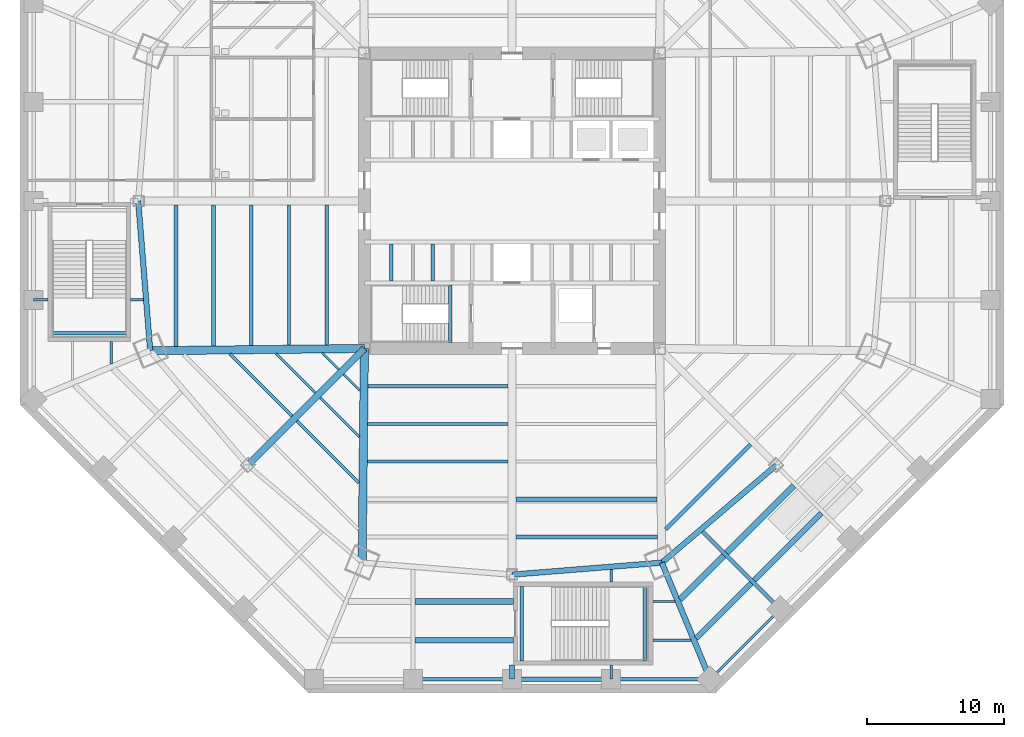
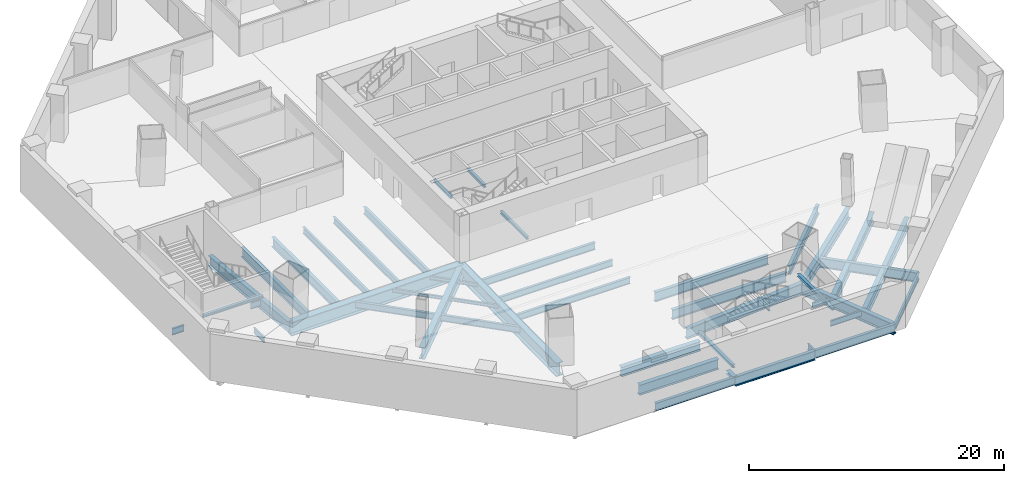
# One storey, part 2 of 15: 46 beams, 3 members.
"""IFC4 building model written with IfcOpenShell, lengths in metres."""

from ifc_helpers import new_model, si_unit, direction, frame, origin, origin_2d, place, context, subcontext, project, spatial, i_section, extrude, source, transform, mapped, material, material_profile, profile_set, type_object, type_shapes, element, save


model = new_model("IFC4")

# Units and contexts
model_context = context("Model", 3, precision=1e-05, world=origin(), true_north=direction((0.0, 1.0)))
body_context = subcontext(model_context, "Body", "Model", "MODEL_VIEW")
ifc_project = project(units=[si_unit("LENGTHUNIT", "METRE"), si_unit("AREAUNIT", "SQUARE_METRE"), si_unit("VOLUMEUNIT", "CUBIC_METRE"), si_unit("PLANEANGLEUNIT", "RADIAN"), si_unit("MASSUNIT", "GRAM", prefix="KILO")], contexts=[model_context])

# Site, building, storey
site_placement = place(None, origin())
site = spatial("IfcSite", under=ifc_project, at=site_placement, CompositionType="ELEMENT")
building_placement = place(site_placement, origin())
building = spatial("IfcBuilding", under=site, at=building_placement, Name="Mashrafa Tower", CompositionType="ELEMENT")
storey_placement = place(building_placement, frame((0.0, 0.0, -4.5)))
storey = spatial("IfcBuildingStorey", under=building, at=storey_placement, Name="B1", CompositionType="ELEMENT", Elevation=-4.5)

# Beams
ifc_material_1 = material(Name="Steel ASTM A572 Gr 50", Category="steel")
ifc_material_profile_1 = material_profile(ifc_material_1, i_section(OverallWidth=0.5, OverallDepth=1.10009765625, WebThickness=0.02490234375, FlangeThickness=0.050048828125, at=origin_2d()), Name="H1100X500X25X50")
ifc_profile_set_1 = profile_set([ifc_material_profile_1], Name="Steel ASTM A572 Gr 50")
beam_type_1 = type_object("IfcBeamType", Name="Beam H1100X500X25X50", PredefinedType="BEAM", material=ifc_profile_set_1)
beam_1_placement = place(storey_placement, frame((-10.800048828125, -10.800048828125, -0.85009765625), z_axis=(-0.707106781187, -0.707106781187, 0.0), x_axis=(0.707106781187, -0.707106781187, 0.0)))
element("IfcBeam", 1, at=beam_1_placement, inside=storey, type_object=beam_type_1, Name="Radial girder B1 194", PredefinedType="BEAM", context=body_context, shape_type="SweptSolid", body=[
    extrude(i_section(OverallWidth=0.5, OverallDepth=1.10009765625, WebThickness=0.02490234375, FlangeThickness=0.050048828125, at=origin_2d()), origin(), (0.0, 0.0, 1.0), 12.07666015625),
])
ifc_material_2 = material(Name="Steel ASTM A572 Gr 50", Category="steel")
ifc_material_profile_2 = material_profile(ifc_material_2, i_section(OverallWidth=0.60009765625, OverallDepth=1.300048828125, WebThickness=0.028076171875, FlangeThickness=0.06494140625, at=origin_2d()), Name="H1300X600X28X65")
ifc_profile_set_2 = profile_set([ifc_material_profile_2], Name="Steel ASTM A572 Gr 50")
beam_type_2 = type_object("IfcBeamType", Name="Beam H1300X600X28X65", PredefinedType="BEAM", material=ifc_profile_set_2)
for number, where, z_axis, x_axis, name in (
    (2, (-10.800048828125, -10.800048828125, -0.949951171875), (-0.999944558062, -0.010529995346, 0.0), (0.010529995346, -0.999944558062, 0.0), "Radial girder B1 193"),
    (3, (-10.800048828125, -10.800048828125, -0.949951171875), (-0.010529995346, -0.999944558062, 0.0), (0.999944558062, -0.010529995346, 0.0), "Radial girder B1 195"),
):
    element("IfcBeam", number, at=place(storey_placement, frame(where, z_axis=z_axis, x_axis=x_axis)), inside=storey, type_object=beam_type_2, Name=name, PredefinedType="BEAM", context=body_context, shape_type="SweptSolid", body=[
        extrude(i_section(OverallWidth=0.60009765625, OverallDepth=1.300048828125, WebThickness=0.028076171875, FlangeThickness=0.06494140625, at=origin_2d()), origin(), (0.0, 0.0, 1.0), 15.67333984375),
    ])
ifc_material_3 = material(Name="Steel ASTM A992", Category="steel")
ifc_material_profile_3 = material_profile(ifc_material_3, i_section(OverallWidth=0.164794921875, OverallDepth=0.309814453125, WebThickness=0.005859375, FlangeThickness=0.009765625, FilletRadius=0.007568359375, at=origin_2d()), Name="W12X26")
ifc_profile_set_3 = profile_set([ifc_material_profile_3], Name="Steel ASTM A992")
beam_type_3 = type_object("IfcBeamType", Name="Beam W12X26", PredefinedType="BEAM", material=ifc_profile_set_3)
beam_2_placement = place(storey_placement, frame((-14.392578125, -14.0390625, -0.454833984375), z_axis=(-0.707136845889, 0.707076715205, 0.0), x_axis=(-0.707076715205, -0.707136845889, 0.0)))
element("IfcBeam", 4, at=beam_2_placement, inside=storey, type_object=beam_type_3, Name="Floor beam B1 026", PredefinedType="BEAM", context=body_context, shape_type="SweptSolid", body=[
    extrude(i_section(OverallWidth=0.164794921875, OverallDepth=0.309814453125, WebThickness=0.005859375, FlangeThickness=0.009765625, FilletRadius=0.007568359375, at=origin_2d()), origin(), (0.0, 0.0, 1.0), 4.06005859375),
])
beam_3_placement = place(storey_placement, frame((-12.684814453125, -12.3310546875, -0.454833984375), z_axis=(-0.707106781187, 0.707106781187, 0.0), x_axis=(-0.707106781187, -0.707106781187, 0.0)))
element("IfcBeam", 5, at=beam_3_placement, inside=storey, type_object=beam_type_3, Name="Floor beam B1 033", PredefinedType="BEAM", context=body_context, shape_type="SweptSolid", body=[
    extrude(i_section(OverallWidth=0.164794921875, OverallDepth=0.309814453125, WebThickness=0.005859375, FlangeThickness=0.009765625, FilletRadius=0.007568359375, at=origin_2d()), origin(), (0.0, 0.0, 1.0), 1.69482421875),
])
beam_4_placement = place(storey_placement, frame((-11.168212890625, -17.263671875, -0.454833984375), z_axis=(-0.707076715205, 0.707136845889, 0.0), x_axis=(-0.707136845889, -0.707076715205, 0.0)))
element("IfcBeam", 6, at=beam_4_placement, inside=storey, type_object=beam_type_3, Name="Floor beam B1 042", PredefinedType="BEAM", context=body_context, shape_type="SweptSolid", body=[
    extrude(i_section(OverallWidth=0.164794921875, OverallDepth=0.309814453125, WebThickness=0.005859375, FlangeThickness=0.009765625, FilletRadius=0.007568359375, at=origin_2d()), origin(), (0.0, 0.0, 1.0), 4.06005859375),
])
beam_5_placement = place(storey_placement, frame((-11.132568359375, -13.88330078125, -0.454833984375), z_axis=(-0.707106781187, 0.707106781187, 0.0), x_axis=(-0.707106781187, -0.707106781187, 0.0)))
element("IfcBeam", 7, at=beam_5_placement, inside=storey, type_object=beam_type_3, Name="Floor beam B1 044", PredefinedType="BEAM", context=body_context, shape_type="SweptSolid", body=[
    extrude(i_section(OverallWidth=0.164794921875, OverallDepth=0.309814453125, WebThickness=0.005859375, FlangeThickness=0.009765625, FilletRadius=0.007568359375, at=origin_2d()), origin(), (0.0, 0.0, 1.0), 1.69482421875),
])
ifc_material_4 = material(Name="Steel ASTM A992", Category="steel")
ifc_material_profile_4 = material_profile(ifc_material_4, i_section(OverallWidth=0.1650390625, OverallDepth=0.52587890625, WebThickness=0.0087890625, FlangeThickness=0.011474609375, FilletRadius=0.0126953125, at=origin_2d()), Name="W21X44")
ifc_profile_set_4 = profile_set([ifc_material_profile_4], Name="Steel ASTM A992")
beam_type_4 = type_object("IfcBeamType", Name="Beam W21X44", PredefinedType="BEAM", material=ifc_profile_set_4)
for number, where, z_axis, x_axis, name in (
    (8, (-29.31494140625, -11.92138671875, -0.56298828125), (0.0, 1.0, 0.0), (-1.0, 0.0, 0.0), "Floor beam B1 004"),
    (9, (11.92138671875, -29.31494140625, -0.56298828125), (-1.0, 0.0, 0.0), (0.0, -1.0, 0.0), "Floor beam B1 069"),
):
    element("IfcBeam", number, at=place(storey_placement, frame(where, z_axis=z_axis, x_axis=x_axis)), inside=storey, type_object=beam_type_4, Name=name, PredefinedType="BEAM", context=body_context, shape_type="SweptSolid", body=[
        extrude(i_section(OverallWidth=0.1650390625, OverallDepth=0.52587890625, WebThickness=0.0087890625, FlangeThickness=0.011474609375, FilletRadius=0.0126953125, at=origin_2d()), origin(), (0.0, 0.0, 1.0), 1.621337890625),
    ])
beam_6_placement = place(storey_placement, frame((13.098876953125, -32.157470703125, -0.56298828125), z_axis=(-1.0, 0.0, 0.0), x_axis=(0.0, -1.0, 0.0)))
element("IfcBeam", 10, at=beam_6_placement, inside=storey, type_object=beam_type_4, Name="Floor beam B1 073", PredefinedType="BEAM", context=body_context, shape_type="SweptSolid", body=[
    extrude(i_section(OverallWidth=0.1650390625, OverallDepth=0.52587890625, WebThickness=0.0087890625, FlangeThickness=0.011474609375, FilletRadius=0.0126953125, at=origin_2d()), origin(), (0.0, 0.0, 1.0), 2.798828125),
])
ifc_material_5 = material(Name="Steel ASTM A992", Category="steel")
ifc_material_profile_5 = material_profile(ifc_material_5, i_section(OverallWidth=0.177978515625, OverallDepth=0.599365234375, WebThickness=0.010009765625, FlangeThickness=0.012939453125, FilletRadius=0.012939453125, at=origin_2d()), Name="W24X55")
ifc_profile_set_5 = profile_set([ifc_material_profile_5], Name="Steel ASTM A992")
beam_type_5 = type_object("IfcBeamType", Name="Beam W24X55", PredefinedType="BEAM", material=ifc_profile_set_5)
beam_7_placement = place(storey_placement, frame((14.49755859375, -35.0, -0.599609375), z_axis=(0.707106781187, 0.707106781187, 0.0), x_axis=(-0.707106781187, 0.707106781187, 0.0)))
element("IfcBeam", 11, at=beam_7_placement, inside=storey, type_object=beam_type_5, Name="Podium edge beam B1 124", PredefinedType="BEAM", context=body_context, shape_type="SweptSolid", body=[
    extrude(i_section(OverallWidth=0.177978515625, OverallDepth=0.599365234375, WebThickness=0.010009765625, FlangeThickness=0.012939453125, FilletRadius=0.012939453125, at=origin_2d()), origin(), (0.0, 0.0, 1.0), 7.24853515625),
])
for number, where, z_axis, x_axis, name in (
    (12, (-26.97119140625, -7.248779296875, -0.599609375), (-1.0, 0.0, 0.0), (0.0, -1.0, 0.0), "Podium radial beam B1 140"),
    (13, (7.248779296875, -26.97119140625, -0.599609375), (0.0, -1.0, 0.0), (1.0, 0.0, 0.0), "Podium radial beam B1 160"),
):
    element("IfcBeam", number, at=place(storey_placement, frame(where, z_axis=z_axis, x_axis=x_axis)), inside=storey, type_object=beam_type_5, Name=name, PredefinedType="BEAM", context=body_context, shape_type="SweptSolid", body=[
        extrude(i_section(OverallWidth=0.177978515625, OverallDepth=0.599365234375, WebThickness=0.010009765625, FlangeThickness=0.012939453125, FilletRadius=0.012939453125, at=origin_2d()), origin(), (0.0, 0.0, 1.0), 0.9287109375),
    ])
ifc_material_6 = material(Name="Steel ASTM A992", Category="steel")
ifc_material_profile_6 = material_profile(ifc_material_6, i_section(OverallWidth=0.228271484375, OverallDepth=0.607177734375, WebThickness=0.01123046875, FlangeThickness=0.017333984375, FilletRadius=0.0126953125, at=origin_2d()), Name="W24X76")
ifc_profile_set_6 = profile_set([ifc_material_profile_6], Name="Steel ASTM A992")
beam_type_6 = type_object("IfcBeamType", Name="Beam W24X76", PredefinedType="BEAM", material=ifc_profile_set_6)
beam_8_placement = place(storey_placement, frame((-19.0751953125, -10.587158203125, -0.603515625), z_axis=(0.0, 1.0, 0.0), x_axis=(-1.0, 0.0, 0.0)))
element("IfcBeam", 14, at=beam_8_placement, inside=storey, type_object=beam_type_6, Name="Floor beam B1 017", PredefinedType="BEAM", context=body_context, shape_type="SweptSolid", body=[
    extrude(i_section(OverallWidth=0.228271484375, OverallDepth=0.607177734375, WebThickness=0.01123046875, FlangeThickness=0.017333984375, FilletRadius=0.0126953125, at=origin_2d()), origin(), (0.0, 0.0, 1.0), 10.287109375),
])
beam_9_placement = place(storey_placement, frame((-16.31689453125, -10.55810546875, -0.603515625), z_axis=(0.0, 1.0, 0.0), x_axis=(-1.0, 0.0, 0.0)))
element("IfcBeam", 15, at=beam_9_placement, inside=storey, type_object=beam_type_6, Name="Floor beam B1 022", PredefinedType="BEAM", context=body_context, shape_type="SweptSolid", body=[
    extrude(i_section(OverallWidth=0.228271484375, OverallDepth=0.607177734375, WebThickness=0.01123046875, FlangeThickness=0.017333984375, FilletRadius=0.0126953125, at=origin_2d()), origin(), (0.0, 0.0, 1.0), 10.258056640625),
])
for number, where, z_axis, x_axis, name in (
    (16, (-16.1005859375, -15.7470703125, -0.603515625), (-0.707106781187, 0.707106781187, 0.0), (-0.707106781187, -0.707106781187, 0.0), "Floor beam B1 024"),
    (17, (-11.203857421875, -20.643798828125, -0.603515625), (-0.707106781187, 0.707106781187, 0.0), (-0.707106781187, -0.707106781187, 0.0), "Floor beam B1 040"),
):
    element("IfcBeam", number, at=place(storey_placement, frame(where, z_axis=z_axis, x_axis=x_axis)), inside=storey, type_object=beam_type_6, Name=name, PredefinedType="BEAM", context=body_context, shape_type="SweptSolid", body=[
        extrude(i_section(OverallWidth=0.228271484375, OverallDepth=0.607177734375, WebThickness=0.01123046875, FlangeThickness=0.017333984375, FilletRadius=0.0126953125, at=origin_2d()), origin(), (0.0, 0.0, 1.0), 6.425048828125),
    ])
beam_10_placement = place(storey_placement, frame((-0.300048828125, -19.0751953125, -0.603515625), z_axis=(-1.0, 0.0, 0.0), x_axis=(0.0, -1.0, 0.0)))
element("IfcBeam", 18, at=beam_10_placement, inside=storey, type_object=beam_type_6, Name="Floor beam B1 050", PredefinedType="BEAM", context=body_context, shape_type="SweptSolid", body=[
    extrude(i_section(OverallWidth=0.228271484375, OverallDepth=0.607177734375, WebThickness=0.01123046875, FlangeThickness=0.017333984375, FilletRadius=0.0126953125, at=origin_2d()), origin(), (0.0, 0.0, 1.0), 10.287109375),
])
beam_11_placement = place(storey_placement, frame((-0.300048828125, -16.31689453125, -0.603515625), z_axis=(-1.0, 0.0, 0.0), x_axis=(0.0, -1.0, 0.0)))
element("IfcBeam", 19, at=beam_11_placement, inside=storey, type_object=beam_type_6, Name="Floor beam B1 051", PredefinedType="BEAM", context=body_context, shape_type="SweptSolid", body=[
    extrude(i_section(OverallWidth=0.228271484375, OverallDepth=0.607177734375, WebThickness=0.01123046875, FlangeThickness=0.017333984375, FilletRadius=0.0126953125, at=origin_2d()), origin(), (0.0, 0.0, 1.0), 10.258056640625),
])
ifc_material_7 = material(Name="Steel ASTM A992", Category="steel")
ifc_material_profile_7 = material_profile(ifc_material_7, i_section(OverallWidth=0.25390625, OverallDepth=0.683349609375, WebThickness=0.012451171875, FlangeThickness=0.01904296875, FilletRadius=0.01513671875, at=origin_2d()), Name="W27X94")
ifc_profile_set_7 = profile_set([ifc_material_profile_7], Name="Steel ASTM A992")
beam_type_7 = type_object("IfcBeamType", Name="Beam W27X94", PredefinedType="BEAM", material=ifc_profile_set_7)
for number, where, z_axis, x_axis, name in (
    (20, (-13.558349609375, -10.529052734375, -0.6416015625), (0.0, 1.0, 0.0), (-1.0, 0.0, 0.0), "Floor beam B1 029"),
    (21, (-0.300048828125, -13.558349609375, -0.6416015625), (-1.0, 0.0, 0.0), (0.0, -1.0, 0.0), "Floor beam B1 052"),
):
    element("IfcBeam", number, at=place(storey_placement, frame(where, z_axis=z_axis, x_axis=x_axis)), inside=storey, type_object=beam_type_7, Name=name, PredefinedType="BEAM", context=body_context, shape_type="SweptSolid", body=[
        extrude(i_section(OverallWidth=0.25390625, OverallDepth=0.683349609375, WebThickness=0.012451171875, FlangeThickness=0.01904296875, FilletRadius=0.01513671875, at=origin_2d()), origin(), (0.0, 0.0, 1.0), 10.22900390625),
    ])
ifc_material_8 = material(Name="Steel ASTM A992", Category="steel")
ifc_material_profile_8 = material_profile(ifc_material_8, i_section(OverallWidth=0.2666015625, OverallDepth=0.75439453125, WebThickness=0.01318359375, FlangeThickness=0.01708984375, FilletRadius=0.0166015625, at=origin_2d()), Name="W30X99")
ifc_profile_set_8 = profile_set([ifc_material_profile_8], Name="Steel ASTM A992")
beam_type_8 = type_object("IfcBeamType", Name="Beam W30X99", PredefinedType="BEAM", material=ifc_profile_set_8)
for number, where, z_axis, x_axis, name in (
    (22, (-7.248779296875, -35.0, -0.67724609375), (1.0, 0.0, 0.0), (0.0, 1.0, 0.0), "Podium edge beam B1 118"),
    (23, (7.248779296875, -35.0, -0.67724609375), (1.0, 0.0, 0.0), (0.0, 1.0, 0.0), "Podium edge beam B1 122"),
):
    element("IfcBeam", number, at=place(storey_placement, frame(where, z_axis=z_axis, x_axis=x_axis)), inside=storey, type_object=beam_type_8, Name=name, PredefinedType="BEAM", context=body_context, shape_type="SweptSolid", body=[
        extrude(i_section(OverallWidth=0.2666015625, OverallDepth=0.75439453125, WebThickness=0.01318359375, FlangeThickness=0.01708984375, FilletRadius=0.0166015625, at=origin_2d()), origin(), (0.0, 0.0, 1.0), 7.248779296875),
    ])
ifc_material_9 = material(Name="Steel ASTM A992", Category="steel")
ifc_material_profile_9 = material_profile(ifc_material_9, i_section(OverallWidth=0.2919921875, OverallDepth=0.845703125, WebThickness=0.015380859375, FlangeThickness=0.0244140625, FilletRadius=0.017333984375, at=origin_2d()), Name="W33X141")
ifc_profile_set_9 = profile_set([ifc_material_profile_9], Name="Steel ASTM A992")
beam_type_9 = type_object("IfcBeamType", Name="Beam W33X141", PredefinedType="BEAM", material=ifc_profile_set_9)
beam_12_placement = place(storey_placement, frame((17.455078125, -17.80859375, -0.722900390625), z_axis=(-0.707106781187, -0.707106781187, 0.0), x_axis=(0.707106781187, -0.707106781187, 0.0)))
element("IfcBeam", 24, at=beam_12_placement, inside=storey, type_object=beam_type_9, Name="Floor beam B1 085", PredefinedType="BEAM", context=body_context, shape_type="SweptSolid", body=[
    extrude(i_section(OverallWidth=0.2919921875, OverallDepth=0.845703125, WebThickness=0.015380859375, FlangeThickness=0.0244140625, FilletRadius=0.017333984375, at=origin_2d()), origin(), (0.0, 0.0, 1.0), 8.7900390625),
])
ifc_material_10 = material(Name="Steel ASTM A992", Category="steel")
ifc_material_profile_10 = material_profile(ifc_material_10, i_section(OverallWidth=0.3046875, OverallDepth=0.911865234375, WebThickness=0.015869140625, FlangeThickness=0.02392578125, FilletRadius=0.01904296875, at=origin_2d()), Name="W36X150")
ifc_profile_set_10 = profile_set([ifc_material_profile_10], Name="Steel ASTM A992")
beam_type_10 = type_object("IfcBeamType", Name="Beam W36X150", PredefinedType="BEAM", material=ifc_profile_set_10)
for number, where, z_axis, x_axis, name in (
    (25, (-21.833740234375, -10.6162109375, -0.755859375), (0.0, 1.0, 0.0), (-1.0, 0.0, 0.0), "Floor beam B1 012"),
    (26, (10.6162109375, -21.833740234375, -0.755859375), (-1.0, 0.0, 0.0), (0.0, -1.0, 0.0), "Floor beam B1 066"),
):
    element("IfcBeam", number, at=place(storey_placement, frame(where, z_axis=z_axis, x_axis=x_axis)), inside=storey, type_object=beam_type_10, Name=name, PredefinedType="BEAM", context=body_context, shape_type="SweptSolid", body=[
        extrude(i_section(OverallWidth=0.3046875, OverallDepth=0.911865234375, WebThickness=0.015869140625, FlangeThickness=0.02392578125, FilletRadius=0.01904296875, at=origin_2d()), origin(), (0.0, 0.0, 1.0), 10.316162109375),
    ])
beam_13_placement = place(storey_placement, frame((0.0, -35.0, -0.755859375), z_axis=(1.0, 0.0, 0.0), x_axis=(0.0, 1.0, 0.0)))
element("IfcBeam", 27, at=beam_13_placement, inside=storey, type_object=beam_type_10, Name="Podium edge beam B1 120", PredefinedType="BEAM", context=body_context, shape_type="SweptSolid", body=[
    extrude(i_section(OverallWidth=0.3046875, OverallDepth=0.911865234375, WebThickness=0.015869140625, FlangeThickness=0.02392578125, FilletRadius=0.01904296875, at=origin_2d()), origin(), (0.0, 0.0, 1.0), 7.248779296875),
])
ifc_material_11 = material(Name="Steel ASTM A992", Category="steel")
ifc_material_profile_11 = material_profile(ifc_material_11, i_section(OverallWidth=0.307373046875, OverallDepth=0.927001953125, WebThickness=0.01953125, FlangeThickness=0.031982421875, FilletRadius=0.01904296875, at=origin_2d()), Name="W36X194")
ifc_profile_set_11 = profile_set([ifc_material_profile_11], Name="Steel ASTM A992")
beam_type_11 = type_object("IfcBeamType", Name="Beam W36X194", PredefinedType="BEAM", material=ifc_profile_set_11)
for number, where, z_axis, x_axis, name in (
    (28, (-24.592041015625, -10.6455078125, -0.763671875), (0.0, 1.0, 0.0), (-1.0, 0.0, 0.0), "Floor beam B1 007"),
    (29, (10.6455078125, -24.592041015625, -0.763671875), (-1.0, 0.0, 0.0), (0.0, -1.0, 0.0), "Floor beam B1 068"),
):
    element("IfcBeam", number, at=place(storey_placement, frame(where, z_axis=z_axis, x_axis=x_axis)), inside=storey, type_object=beam_type_11, Name=name, PredefinedType="BEAM", context=body_context, shape_type="SweptSolid", body=[
        extrude(i_section(OverallWidth=0.307373046875, OverallDepth=0.927001953125, WebThickness=0.01953125, FlangeThickness=0.031982421875, FilletRadius=0.01904296875, at=origin_2d()), origin(), (0.0, 0.0, 1.0), 10.345458984375),
    ])
beam_14_placement = place(storey_placement, frame((13.94580078125, -24.197265625, -0.763671875), z_axis=(0.707106781187, -0.707106781187, 0.0), x_axis=(0.707106781187, 0.707106781187, 0.0)))
element("IfcBeam", 30, at=beam_14_placement, inside=storey, type_object=beam_type_11, Name="Podium radial beam B1 164", PredefinedType="BEAM", context=body_context, shape_type="SweptSolid", body=[
    extrude(i_section(OverallWidth=0.307373046875, OverallDepth=0.927001953125, WebThickness=0.01953125, FlangeThickness=0.031982421875, FilletRadius=0.01904296875, at=origin_2d()), origin(), (0.0, 0.0, 1.0), 8.02880859375),
])
ifc_material_12 = material(Name="Steel ASTM A992", Category="steel")
ifc_material_profile_12 = material_profile(ifc_material_12, i_section(OverallWidth=0.419189453125, OverallDepth=0.927001953125, WebThickness=0.019287109375, FlangeThickness=0.031982421875, FilletRadius=0.020263671875, at=origin_2d()), Name="W36X231")
ifc_profile_set_12 = profile_set([ifc_material_profile_12], Name="Steel ASTM A992")
beam_type_12 = type_object("IfcBeamType", Name="Beam W36X231", PredefinedType="BEAM", material=ifc_profile_set_12)
beam_15_placement = place(storey_placement, frame((0.10009765625, -29.31494140625, -0.763671875), z_axis=(-1.0, 0.0, 0.0), x_axis=(0.0, -1.0, 0.0)))
element("IfcBeam", 31, at=beam_15_placement, inside=storey, type_object=beam_type_12, Name="Floor beam B1 059 part 1", PredefinedType="BEAM", context=body_context, shape_type="SweptSolid", body=[
    extrude(i_section(OverallWidth=0.419189453125, OverallDepth=0.927001953125, WebThickness=0.019287109375, FlangeThickness=0.031982421875, FilletRadius=0.020263671875, at=origin_2d()), origin(), (0.0, 0.0, 1.0), 7.195068359375),
])
beam_16_placement = place(storey_placement, frame((20.62548828125, -20.83203125, -0.763671875), z_axis=(-0.707106781187, -0.707106781187, 0.0), x_axis=(0.707106781187, -0.707106781187, 0.0)))
element("IfcBeam", 32, at=beam_16_placement, inside=storey, type_object=beam_type_12, Name="Floor beam B1 089 part 1", PredefinedType="BEAM", context=body_context, shape_type="SweptSolid", body=[
    extrude(i_section(OverallWidth=0.419189453125, OverallDepth=0.927001953125, WebThickness=0.019287109375, FlangeThickness=0.031982421875, FilletRadius=0.020263671875, at=origin_2d()), origin(), (0.0, 0.0, 1.0), 6.94873046875),
])
beam_17_placement = place(storey_placement, frame((15.494384765625, -25.963134765625, -0.763671875), z_axis=(-0.707106781187, -0.707106781187, 0.0), x_axis=(0.707106781187, -0.707106781187, 0.0)))
element("IfcBeam", 33, at=beam_17_placement, inside=storey, type_object=beam_type_12, Name="Floor beam B1 089 part 2", PredefinedType="BEAM", context=body_context, shape_type="SweptSolid", body=[
    extrude(i_section(OverallWidth=0.419189453125, OverallDepth=0.927001953125, WebThickness=0.019287109375, FlangeThickness=0.031982421875, FilletRadius=0.020263671875, at=origin_2d()), origin(), (0.0, 0.0, 1.0), 4.518798828125),
])
ifc_material_13 = material(Name="Steel ASTM A992", Category="steel")
ifc_material_profile_13 = material_profile(ifc_material_13, i_section(OverallWidth=0.4013671875, OverallDepth=0.98291015625, WebThickness=0.0166015625, FlangeThickness=0.027099609375, FilletRadius=0.0126953125, at=origin_2d()), Name="W40X199")
ifc_profile_set_13 = profile_set([ifc_material_profile_13], Name="Steel ASTM A992")
beam_type_13 = type_object("IfcBeamType", Name="Beam W40X199", PredefinedType="BEAM", material=ifc_profile_set_13)
beam_18_placement = place(storey_placement, frame((0.10009765625, -32.157470703125, -0.79150390625), z_axis=(-1.0, 0.0, 0.0), x_axis=(0.0, -1.0, 0.0)))
element("IfcBeam", 34, at=beam_18_placement, inside=storey, type_object=beam_type_13, Name="Floor beam B1 058 part 1", PredefinedType="BEAM", context=body_context, shape_type="SweptSolid", body=[
    extrude(i_section(OverallWidth=0.4013671875, OverallDepth=0.98291015625, WebThickness=0.0166015625, FlangeThickness=0.027099609375, FilletRadius=0.0126953125, at=origin_2d()), origin(), (0.0, 0.0, 1.0), 7.195068359375),
])
beam_19_placement = place(storey_placement, frame((22.635498046875, -22.842041015625, -0.79150390625), z_axis=(-0.707124347529, -0.707089214407, 0.0), x_axis=(0.707089214407, -0.707124347529, 0.0)))
element("IfcBeam", 35, at=beam_19_placement, inside=storey, type_object=beam_type_13, Name="Floor beam B1 094 part 1", PredefinedType="BEAM", context=body_context, shape_type="SweptSolid", body=[
    extrude(i_section(OverallWidth=0.4013671875, OverallDepth=0.98291015625, WebThickness=0.0166015625, FlangeThickness=0.027099609375, FilletRadius=0.0126953125, at=origin_2d()), origin(), (0.0, 0.0, 1.0), 6.948974609375),
])
beam_20_placement = place(storey_placement, frame((17.50439453125, -27.97314453125, -0.79150390625), z_axis=(-0.707106781187, -0.707106781187, 0.0), x_axis=(0.707106781187, -0.707106781187, 0.0)))
element("IfcBeam", 36, at=beam_20_placement, inside=storey, type_object=beam_type_13, Name="Floor beam B1 094 part 2", PredefinedType="BEAM", context=body_context, shape_type="SweptSolid", body=[
    extrude(i_section(OverallWidth=0.4013671875, OverallDepth=0.98291015625, WebThickness=0.0166015625, FlangeThickness=0.027099609375, FilletRadius=0.0126953125, at=origin_2d()), origin(), (0.0, 0.0, 1.0), 5.6962890625),
])
ifc_material_14 = material(Name="Steel ASTM A992", Category="steel")
ifc_material_profile_14 = material_profile(ifc_material_14, i_section(OverallWidth=0.4013671875, OverallDepth=1.010986328125, WebThickness=0.023681640625, FlangeThickness=0.0419921875, FilletRadius=0.02001953125, at=origin_2d()), Name="W40X297")
ifc_profile_set_14 = profile_set([ifc_material_profile_14], Name="Steel ASTM A992")
beam_type_14 = type_object("IfcBeamType", Name="Beam W40X297", PredefinedType="BEAM", material=ifc_profile_set_14)
for number, where, z_axis, x_axis, name in (
    (37, (-27.3505859375, 0.0, -0.805419921875), (0.079832552112, -0.9968082883, 0.0), (0.9968082883, 0.079832552112, 0.0), "Podium ring girder B1 177"),
    (38, (0.0, -27.3505859375, -0.805419921875), (0.9968082883, 0.079832552112, 0.0), (-0.079832552112, 0.9968082883, 0.0), "Podium ring girder B1 184"),
):
    element("IfcBeam", number, at=place(storey_placement, frame(where, z_axis=z_axis, x_axis=x_axis)), inside=storey, type_object=beam_type_14, Name=name, PredefinedType="BEAM", context=body_context, shape_type="SweptSolid", body=[
        extrude(i_section(OverallWidth=0.4013671875, OverallDepth=1.010986328125, WebThickness=0.023681640625, FlangeThickness=0.0419921875, FilletRadius=0.02001953125, at=origin_2d()), origin(), (0.0, 0.0, 1.0), 11.000244140625),
    ])
beam_21_placement = place(storey_placement, frame((10.965087890625, -26.472412109375, -0.805419921875), z_axis=(0.76128948608, 0.648412151633, 0.0), x_axis=(-0.648412151633, 0.76128948608, 0.0)))
element("IfcBeam", 39, at=beam_21_placement, inside=storey, type_object=beam_type_14, Name="Podium ring girder B1 186", PredefinedType="BEAM", context=body_context, shape_type="SweptSolid", body=[
    extrude(i_section(OverallWidth=0.4013671875, OverallDepth=1.010986328125, WebThickness=0.023681640625, FlangeThickness=0.0419921875, FilletRadius=0.02001953125, at=origin_2d()), origin(), (0.0, 0.0, 1.0), 11.00048828125),
])
ifc_material_15 = material(Name="Steel ASTM A992", Category="steel")
ifc_material_profile_15 = material_profile(ifc_material_15, i_section(OverallWidth=0.408935546875, OverallDepth=1.04150390625, WebThickness=0.031005859375, FlangeThickness=0.055908203125, FilletRadius=0.020263671875, at=origin_2d()), Name="W40X397")
ifc_profile_set_15 = profile_set([ifc_material_profile_15], Name="Steel ASTM A992")
beam_type_15 = type_object("IfcBeamType", Name="Beam W40X397", PredefinedType="BEAM", material=ifc_profile_set_15)
beam_22_placement = place(storey_placement, frame((10.965087890625, -26.472412109375, -0.82080078125), z_axis=(0.382704529509, -0.923870793506, 0.0), x_axis=(0.923870793506, 0.382704529509, 0.0)))
element("IfcBeam", 40, at=beam_22_placement, inside=storey, type_object=beam_type_15, Name="Podium radial beam B1 162", PredefinedType="BEAM", context=body_context, shape_type="SweptSolid", body=[
    extrude(i_section(OverallWidth=0.408935546875, OverallDepth=1.04150390625, WebThickness=0.031005859375, FlangeThickness=0.055908203125, FilletRadius=0.020263671875, at=origin_2d()), origin(), (0.0, 0.0, 1.0), 9.230224609375),
])
ifc_material_16 = material(Name="Steel ASTM A992", Category="steel")
ifc_material_profile_16 = material_profile(ifc_material_16, i_section(OverallWidth=0.25390625, OverallDepth=0.25390625, WebThickness=0.008544921875, FlangeThickness=0.01416015625, FilletRadius=0.010009765625, at=origin_2d()), Name="W10X49")
ifc_profile_set_16 = profile_set([ifc_material_profile_16], Name="Steel ASTM A992")
beam_type_16 = type_object("IfcBeamType", Name="Hoistway beam W10X49", PredefinedType="BEAM", material=ifc_profile_set_16)
for number, where, z_axis, x_axis, name in (
    (41, (-8.85009765625, -5.85009765625, 2.27294921875), (0.0, 1.0, 0.0), (-1.0, 0.0, 0.0), "Hoistway beam under lift pit B1"),
    (42, (-5.800048828125, -5.85009765625, 2.27294921875), (0.0, 1.0, 0.0), (-1.0, 0.0, 0.0), "Hoistway beam under lift pit B2"),
):
    element("IfcBeam", number, at=place(storey_placement, frame(where, z_axis=z_axis, x_axis=x_axis)), inside=storey, type_object=beam_type_16, Name=name, PredefinedType="BEAM", context=body_context, shape_type="SweptSolid", body=[
        extrude(i_section(OverallWidth=0.25390625, OverallDepth=0.25390625, WebThickness=0.008544921875, FlangeThickness=0.01416015625, FilletRadius=0.010009765625, at=origin_2d()), origin(), (0.0, 0.0, 1.0), 2.7001953125),
    ])
beam_23_placement = place(storey_placement, frame((-4.530029296875, -10.35009765625, -0.427001953125), z_axis=(0.0, 1.0, 0.0), x_axis=(-1.0, 0.0, 0.0)))
element("IfcBeam", 43, at=beam_23_placement, inside=storey, type_object=beam_type_16, Name="Stair S3 landing beam B1", PredefinedType="BEAM", context=body_context, shape_type="SweptSolid", body=[
    extrude(i_section(OverallWidth=0.25390625, OverallDepth=0.25390625, WebThickness=0.008544921875, FlangeThickness=0.01416015625, FilletRadius=0.010009765625, at=origin_2d()), origin(), (0.0, 0.0, 1.0), 4.2001953125),
])
for number, where, z_axis, x_axis, name in (
    (44, (-33.64990234375, -9.699951171875, 1.923095703125), (1.0, 0.0, 0.0), (0.0, 1.0, 0.0), "Stair P3 landing beam B1"),
    (45, (0.699951171875, -33.64990234375, -0.427001953125), (0.0, 1.0, 0.0), (-1.0, 0.0, 0.0), "Stair P4 landing beam B1"),
    (46, (9.699951171875, -33.64990234375, 1.923095703125), (0.0, 1.0, 0.0), (-1.0, 0.0, 0.0), "Stair P4 landing beam B1"),
):
    element("IfcBeam", number, at=place(storey_placement, frame(where, z_axis=z_axis, x_axis=x_axis)), inside=storey, type_object=beam_type_16, Name=name, PredefinedType="BEAM", context=body_context, shape_type="SweptSolid", body=[
        extrude(i_section(OverallWidth=0.25390625, OverallDepth=0.25390625, WebThickness=0.008544921875, FlangeThickness=0.01416015625, FilletRadius=0.010009765625, at=origin_2d()), origin(), (0.0, 0.0, 1.0), 5.449951171875),
    ])

# Members
ifc_material_17 = material(Name="Steel ASTM A992", Category="steel")
ifc_material_profile_17 = material_profile(ifc_material_17, i_section(OverallWidth=0.177978515625, OverallDepth=0.599365234375, WebThickness=0.010009765625, FlangeThickness=0.012939453125, FilletRadius=0.012939453125, at=origin_2d()), Name="W24X55")
ifc_profile_set_17 = profile_set([ifc_material_profile_17], Name="Steel ASTM A992")
member_type_1 = type_object("IfcMemberType", Name="Tie strut W24X55", PredefinedType="STRUT", material=ifc_profile_set_17)
shared_shape_1 = source(origin(), body_context, "Body", "SweptSolid", [
    extrude(i_section(OverallWidth=0.177978515625, OverallDepth=0.599365234375, WebThickness=0.010009765625, FlangeThickness=0.012939453125, FilletRadius=0.012939453125, at=origin_2d()), origin(), (0.0, 0.0, 1.0), 1.050048828125),
])
type_shapes(member_type_1, [shared_shape_1])
for number, where, z_axis, x_axis, name in (
    (47, (-33.949951171875, -7.248779296875, -0.599609375), (-1.0, 0.0, 0.0), (0.0, -1.0, 0.0), "Tie strut B1 137"),
    (48, (7.248779296875, -33.949951171875, -0.599609375), (0.0, -1.0, 0.0), (1.0, 0.0, 0.0), "Tie strut B1 159"),
):
    element("IfcMember", number, at=place(storey_placement, frame(where, z_axis=z_axis, x_axis=x_axis)), inside=storey, type_object=member_type_1, Name=name, PredefinedType="STRUT", context=body_context, shape_type="MappedRepresentation", body=[
        mapped(shared_shape_1, transform((0.0, 0.0, 0.0))),
    ])
ifc_material_18 = material(Name="Steel ASTM A992", Category="steel")
ifc_material_profile_18 = material_profile(ifc_material_18, i_section(OverallWidth=0.368408203125, OverallDepth=0.355712890625, WebThickness=0.01123046875, FlangeThickness=0.01806640625, FilletRadius=0.01513671875, at=origin_2d()), Name="W14X90")
ifc_profile_set_18 = profile_set([ifc_material_profile_18], Name="Steel ASTM A992")
member_type_2 = type_object("IfcMemberType", Name="Tie strut W14X90", PredefinedType="STRUT", material=ifc_profile_set_18)
shared_shape_2 = source(origin(), body_context, "Body", "SweptSolid", [
    extrude(i_section(OverallWidth=0.368408203125, OverallDepth=0.355712890625, WebThickness=0.01123046875, FlangeThickness=0.01806640625, FilletRadius=0.01513671875, at=origin_2d()), origin(), (0.0, 0.0, 1.0), 1.050048828125),
])
type_shapes(member_type_2, [shared_shape_2])
member_placement = place(storey_placement, frame((0.0, -33.949951171875, -0.477783203125), z_axis=(0.0, -1.0, 0.0), x_axis=(1.0, 0.0, 0.0)))
element("IfcMember", 49, at=member_placement, inside=storey, type_object=member_type_2, Name="Tie strut B1 155", PredefinedType="STRUT", context=body_context, shape_type="MappedRepresentation", body=[
    mapped(shared_shape_2, transform((0.0, 0.0, 0.0))),
])

save(model, "model.ifc")
